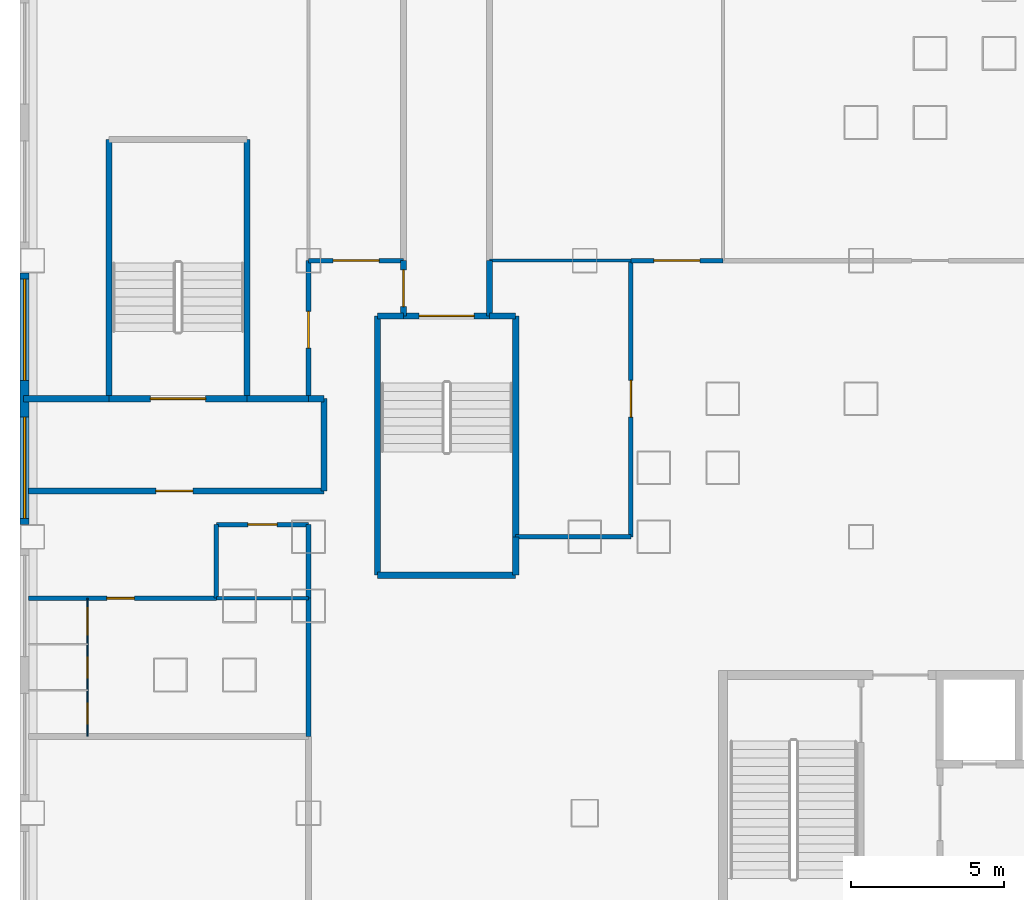
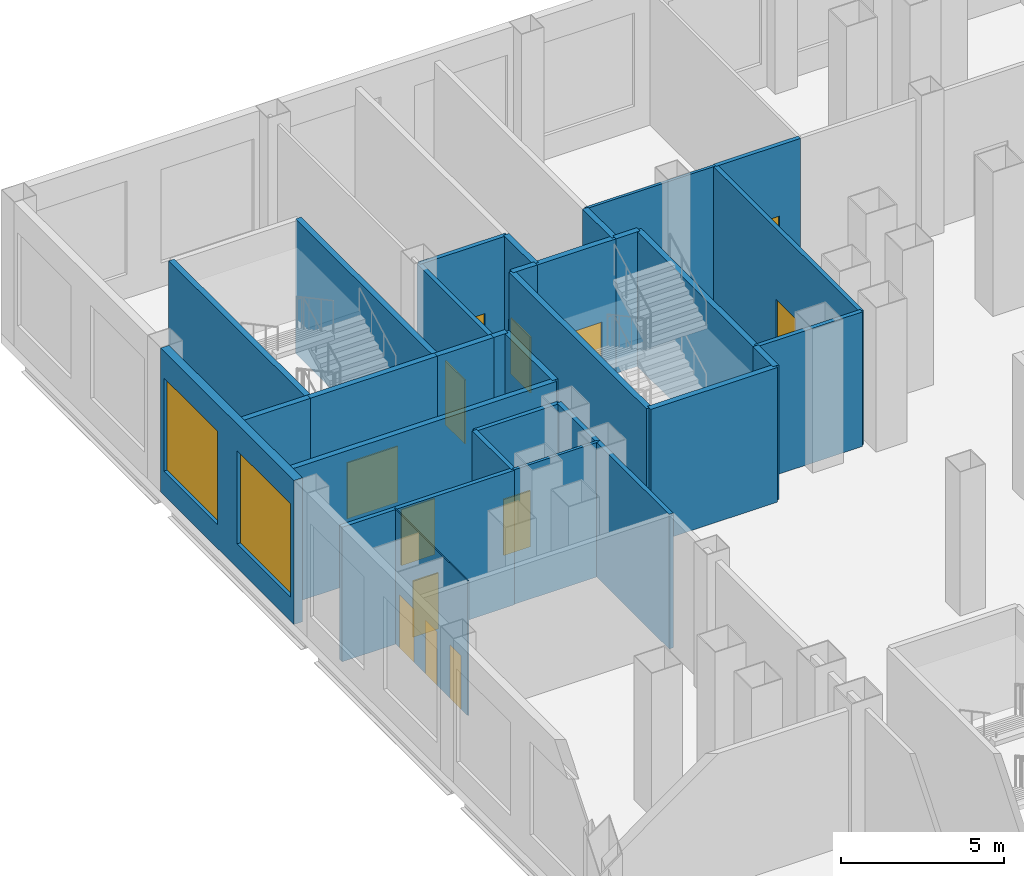
# One storey, part 5 of 26: 31 walls, 13 doors, 2 windows, 15 openings.
"""IFC4 building model written with IfcOpenShell, lengths in metres."""

from ifc_helpers import new_model, si_unit, direction, frame, frame_2d, origin, place, context, subcontext, project, spatial, rectangle, extrude, material, layer, layer_set, type_object, element, fill, save


model = new_model("IFC4")

# Units and contexts
model_context = context("Model", 3, precision=1e-05, world=origin(), true_north=direction((0.0, 1.0)))
body_context = subcontext(model_context, "Body", "Model", "MODEL_VIEW")
ifc_project = project(units=[si_unit("LENGTHUNIT", "METRE"), si_unit("AREAUNIT", "SQUARE_METRE"), si_unit("VOLUMEUNIT", "CUBIC_METRE"), si_unit("PLANEANGLEUNIT", "RADIAN"), si_unit("MASSUNIT", "GRAM", prefix="KILO")], contexts=[model_context])

# Site, building, storey
site_placement = place(None, origin())
site = spatial("IfcSite", under=ifc_project, at=site_placement, CompositionType="ELEMENT")
building_placement = place(site_placement, origin())
building = spatial("IfcBuilding", under=site, at=building_placement, Name="Caravel Reach Hotel and Residences", CompositionType="ELEMENT")
storey_placement = place(building_placement, frame((0.0, 0.0, 12.0)))
storey = spatial("IfcBuildingStorey", under=building, at=storey_placement, Name="L02", CompositionType="ELEMENT", Elevation=12.0)

# Wall, opening, door
ifc_material_1 = material(Name="Autoclaved aerated block wall")
ifc_layer_1 = layer(ifc_material_1, 0.199951171875)
ifc_layer_set_1 = layer_set([ifc_layer_1], Name="Compartment wall 200 mm EI 120")
wall_type_1 = type_object("IfcWallType", Name="Compartment wall 200 mm EI 120", PredefinedType="PARTITIONING", material=ifc_layer_set_1)
wall_1_placement = place(storey_placement, frame((-4.6201171875, 37.5, 0.0), z_axis=(0.0, 0.0, 1.0), x_axis=(1.0, 0.0, 0.0)))
wall_1 = element("IfcWall", 1, at=wall_1_placement, inside=storey, type_object=wall_type_1, Name="L02 wall w045", PredefinedType="PARTITIONING", context=body_context, shape_type="SweptSolid", body=[
    extrude(rectangle(XDim=9.6201171875, YDim=0.199951171875, at=frame_2d((4.81005859375, 0.0))), origin(), (0.0, 0.0, 1.0), 5.050048828125),
])
opening_1_placement = place(wall_1_placement, frame((4.14990234375, 0.0, 0.0)))
opening_1 = element("IfcOpeningElement", 2, at=opening_1_placement, cuts=wall_1, Name="Opening D02-022", PredefinedType="OPENING", context=body_context, shape_type="SweptSolid", body=[
    extrude(rectangle(XDim=1.199951171875, YDim=2.10009765625, at=frame_2d((0.60009765625, 1.050048828125))), frame((0.0, 0.10986328125, 0.0), z_axis=(0.0, -1.0, 0.0), x_axis=(1.0, 0.0, 0.0)), (0.0, 0.0, 1.0), 0.219970703125),
])
ifc_material_2 = material(Name="Steel fire door leaf", Category="steel")
door_type_1 = type_object("IfcDoorType", Name="Fire lobby door 1200 x 2100 EI 90", OperationType="SINGLE_SWING_LEFT", PredefinedType="DOOR", material=ifc_material_2)
door_1_placement = place(opening_1_placement, origin())
door_1 = element("IfcDoor", 3, at=door_1_placement, inside=storey, type_object=door_type_1, Name="door D02-022", OperationType="SINGLE_SWING_RIGHT", OverallHeight=2.10009765625, OverallWidth=1.199951171875, PredefinedType="DOOR", context=body_context, shape_type="SweptSolid", body=[
    extrude(rectangle(XDim=1.199951171875, YDim=2.10009765625, at=frame_2d((0.60009765625, 1.050048828125))), frame((0.0, 0.02490234375, 0.0), z_axis=(0.0, -1.0, 0.0), x_axis=(1.0, 0.0, 0.0)), (0.0, 0.0, 1.0), 0.050048828125),
])
fill(opening_1, door_1)

# Walls
wall_2_placement = place(storey_placement, frame((4.5, 40.5, 0.0), z_axis=(0.0, 0.0, 1.0), x_axis=(1.0, 0.0, 0.0)))
element("IfcWall", 4, at=wall_2_placement, inside=storey, type_object=wall_type_1, Name="L02 wall w049", PredefinedType="PARTITIONING", context=body_context, shape_type="SweptSolid", body=[
    extrude(rectangle(XDim=0.5, YDim=0.199951171875, at=frame_2d((0.25, 0.0))), origin(), (0.0, 0.0, 1.0), 5.050048828125),
])
wall_3_placement = place(storey_placement, frame((-4.7900390625, 40.5, 0.0), z_axis=(0.0, 0.0, 1.0), x_axis=(1.0, 0.0, 0.0)))
element("IfcWall", 5, at=wall_3_placement, inside=storey, type_object=wall_type_1, Name="L02 wall w050", PredefinedType="PARTITIONING", context=body_context, shape_type="SweptSolid", body=[
    extrude(rectangle(XDim=2.7900390625, YDim=0.199951171875, at=frame_2d((1.39501953125, 0.0))), origin(), (0.0, 0.0, 1.0), 5.050048828125),
])
wall_4_placement = place(storey_placement, frame((2.5, 40.5, 0.0), z_axis=(0.0, 0.0, 1.0), x_axis=(1.0, 0.0, 0.0)))
element("IfcWall", 6, at=wall_4_placement, inside=storey, type_object=wall_type_1, Name="L02 wall w051", PredefinedType="PARTITIONING", context=body_context, shape_type="SweptSolid", body=[
    extrude(rectangle(XDim=2.0, YDim=0.199951171875, at=frame_2d((1.0, 0.0))), origin(), (0.0, 0.0, 1.0), 5.050048828125),
])
wall_5_placement = place(storey_placement, frame((10.39990234375, 43.199951171875, 0.0), z_axis=(0.0, 0.0, 1.0), x_axis=(0.0, 1.0, 0.0)))
element("IfcWall", 7, at=wall_5_placement, inside=storey, type_object=wall_type_1, Name="L02 wall w059", PredefinedType="PARTITIONING", context=body_context, shape_type="SweptSolid", body=[
    extrude(rectangle(XDim=1.800048828125, YDim=0.199951171875, at=frame_2d((0.89990234375, 0.0))), origin(), (0.0, 0.0, 1.0), 5.050048828125),
])
wall_6_placement = place(storey_placement, frame((5.0, 37.5, 0.0), z_axis=(0.0, 0.0, 1.0), x_axis=(0.0, 1.0, 0.0)))
element("IfcWall", 8, at=wall_6_placement, inside=storey, type_object=wall_type_1, Name="L02 wall w065", PredefinedType="PARTITIONING", context=body_context, shape_type="SweptSolid", body=[
    extrude(rectangle(XDim=3.0, YDim=0.199951171875, at=frame_2d((1.5, 0.0))), origin(), (0.0, 0.0, 1.0), 5.050048828125),
])

# Wall, opening, door
wall_7_placement = place(storey_placement, frame((7.60009765625, 43.199951171875, 0.0), z_axis=(0.0, 0.0, 1.0), x_axis=(0.0, 1.0, 0.0)))
wall_7 = element("IfcWall", 9, at=wall_7_placement, inside=storey, type_object=wall_type_1, Name="L02 wall w078", PredefinedType="PARTITIONING", context=body_context, shape_type="SweptSolid", body=[
    extrude(rectangle(XDim=1.800048828125, YDim=0.199951171875, at=frame_2d((0.89990234375, 0.0))), origin(), (0.0, 0.0, 1.0), 5.050048828125),
])
opening_2_placement = place(wall_7_placement, frame((0.300048828125, 0.0, 0.0)))
opening_2 = element("IfcOpeningElement", 10, at=opening_2_placement, cuts=wall_7, Name="Opening D02-014", PredefinedType="OPENING", context=body_context, shape_type="SweptSolid", body=[
    extrude(rectangle(XDim=1.199951171875, YDim=2.10009765625, at=frame_2d((0.60009765625, 1.050048828125))), frame((0.0, 0.10986328125, 0.0), z_axis=(0.0, -1.0, 0.0), x_axis=(1.0, 0.0, 0.0)), (0.0, 0.0, 1.0), 0.219970703125),
])
door_2_placement = place(opening_2_placement, origin())
door_2 = element("IfcDoor", 11, at=door_2_placement, inside=storey, type_object=door_type_1, Name="door D02-014", OperationType="SINGLE_SWING_LEFT", OverallHeight=2.10009765625, OverallWidth=1.199951171875, PredefinedType="DOOR", context=body_context, shape_type="SweptSolid", body=[
    extrude(rectangle(XDim=1.199951171875, YDim=2.10009765625, at=frame_2d((0.60009765625, 1.050048828125))), frame((0.0, 0.02490234375, 0.0), z_axis=(0.0, -1.0, 0.0), x_axis=(1.0, 0.0, 0.0)), (0.0, 0.0, 1.0), 0.050048828125),
])
fill(opening_2, door_2)

ifc_material_3 = material(Name="Gypsum board on steel stud, fire-rated", Category="steel")
ifc_layer_2 = layer(ifc_material_3, 0.14990234375)
ifc_layer_set_2 = layer_set([ifc_layer_2], Name="Corridor wall 150 mm EI 60")
wall_type_2 = type_object("IfcWallType", Name="Corridor wall 150 mm EI 60", PredefinedType="PARTITIONING", material=ifc_layer_set_2)
wall_8_placement = place(storey_placement, frame((-4.6201171875, 34.0, 0.0), z_axis=(0.0, 0.0, 1.0), x_axis=(1.0, 0.0, 0.0)))
wall_8 = element("IfcWall", 12, at=wall_8_placement, inside=storey, type_object=wall_type_2, Name="L02 wall w001", PredefinedType="PARTITIONING", context=body_context, shape_type="SweptSolid", body=[
    extrude(rectangle(XDim=6.1201171875, YDim=0.14990234375, at=frame_2d((3.06005859375, 0.0))), origin(), (0.0, 0.0, 1.0), 5.050048828125),
])
opening_3_placement = place(wall_8_placement, frame((2.550048828125, 0.0, 0.0)))
opening_3 = element("IfcOpeningElement", 13, at=opening_3_placement, cuts=wall_8, Name="Opening D02-030", PredefinedType="OPENING", context=body_context, shape_type="SweptSolid", body=[
    extrude(rectangle(XDim=0.89990234375, YDim=2.10009765625, at=frame_2d((0.449951171875, 1.050048828125))), frame((0.0, 0.0849609375, 0.0), z_axis=(0.0, -1.0, 0.0), x_axis=(1.0, 0.0, 0.0)), (0.0, 0.0, 1.0), 0.169921875),
])
ifc_material_4 = material(Name="Timber and steel door leaf", Category="steel")
door_type_2 = type_object("IfcDoorType", Name="Door 900 x 2100 timber", OperationType="SINGLE_SWING_LEFT", PredefinedType="DOOR", material=ifc_material_4)
door_3_placement = place(opening_3_placement, origin())
door_3 = element("IfcDoor", 14, at=door_3_placement, inside=storey, type_object=door_type_2, Name="door D02-030", OperationType="SINGLE_SWING_LEFT", OverallHeight=2.10009765625, OverallWidth=0.89990234375, PredefinedType="DOOR", context=body_context, shape_type="SweptSolid", body=[
    extrude(rectangle(XDim=0.89990234375, YDim=2.10009765625, at=frame_2d((0.449951171875, 1.050048828125))), frame((0.0, 0.02490234375, 0.0), z_axis=(0.0, -1.0, 0.0), x_axis=(1.0, 0.0, 0.0)), (0.0, 0.0, 1.0), 0.050048828125),
])
fill(opening_3, door_3)

# Wall
wall_9_placement = place(storey_placement, frame((11.25, 36.0, 0.0), z_axis=(0.0, 0.0, 1.0), x_axis=(1.0, 0.0, 0.0)))
element("IfcWall", 15, at=wall_9_placement, inside=storey, type_object=wall_type_2, Name="L02 wall w003", PredefinedType="PARTITIONING", context=body_context, shape_type="SweptSolid", body=[
    extrude(rectangle(XDim=3.75, YDim=0.14990234375, at=frame_2d((1.875, 0.0))), origin(), (0.0, 0.0, 1.0), 5.050048828125),
])

# Wall, opening, door
wall_10_placement = place(storey_placement, frame((1.5, 36.39990234375, 0.0), z_axis=(0.0, 0.0, 1.0), x_axis=(1.0, 0.0, 0.0)))
wall_10 = element("IfcWall", 16, at=wall_10_placement, inside=storey, type_object=wall_type_2, Name="L02 wall w004", PredefinedType="PARTITIONING", context=body_context, shape_type="SweptSolid", body=[
    extrude(rectangle(XDim=3.0, YDim=0.14990234375, at=frame_2d((1.5, 0.0))), origin(), (0.0, 0.0, 1.0), 5.050048828125),
])
opening_4_placement = place(wall_10_placement, frame((1.02490234375, 0.0, 0.0)))
opening_4 = element("IfcOpeningElement", 17, at=opening_4_placement, cuts=wall_10, Name="Opening D02-031", PredefinedType="OPENING", context=body_context, shape_type="SweptSolid", body=[
    extrude(rectangle(XDim=0.949951171875, YDim=2.10009765625, at=frame_2d((0.47509765625, 1.050048828125))), frame((0.0, 0.0849609375, 0.0), z_axis=(0.0, -1.0, 0.0), x_axis=(1.0, 0.0, 0.0)), (0.0, 0.0, 1.0), 0.169921875),
])
ifc_material_5 = material(Name="Timber and steel door leaf", Category="steel")
door_type_3 = type_object("IfcDoorType", Name="Accessible WC door 950 x 2100", OperationType="SINGLE_SWING_LEFT", PredefinedType="DOOR", material=ifc_material_5)
door_4_placement = place(opening_4_placement, origin())
door_4 = element("IfcDoor", 18, at=door_4_placement, inside=storey, type_object=door_type_3, Name="door D02-031", OperationType="SINGLE_SWING_LEFT", OverallHeight=2.10009765625, OverallWidth=0.949951171875, PredefinedType="DOOR", context=body_context, shape_type="SweptSolid", body=[
    extrude(rectangle(XDim=0.949951171875, YDim=2.10009765625, at=frame_2d((0.47509765625, 1.050048828125))), frame((0.0, 0.02490234375, 0.0), z_axis=(0.0, -1.0, 0.0), x_axis=(1.0, 0.0, 0.0)), (0.0, 0.0, 1.0), 0.050048828125),
])
fill(opening_4, door_4)

wall_11_placement = place(storey_placement, frame((4.5, 45.0, 0.0), z_axis=(0.0, 0.0, 1.0), x_axis=(1.0, 0.0, 0.0)))
wall_11 = element("IfcWall", 19, at=wall_11_placement, inside=storey, type_object=wall_type_2, Name="L02 wall w006", PredefinedType="PARTITIONING", context=body_context, shape_type="SweptSolid", body=[
    extrude(rectangle(XDim=3.10009765625, YDim=0.14990234375, at=frame_2d((1.550048828125, 0.0))), origin(), (0.0, 0.0, 1.0), 5.050048828125),
])
opening_5_placement = place(wall_11_placement, frame((0.800048828125, 0.0, 0.0)))
opening_5 = element("IfcOpeningElement", 20, at=opening_5_placement, cuts=wall_11, Name="Opening D02-043", PredefinedType="OPENING", context=body_context, shape_type="SweptSolid", body=[
    extrude(rectangle(XDim=1.5, YDim=2.39990234375, at=frame_2d((0.75, 1.199951171875))), frame((0.0, 0.0849609375, 0.0), z_axis=(0.0, -1.0, 0.0), x_axis=(1.0, 0.0, 0.0)), (0.0, 0.0, 1.0), 0.169921875),
])
ifc_material_6 = material(Name="Timber and steel door leaf", Category="steel")
door_type_4 = type_object("IfcDoorType", Name="Shopfront door 1500 x 2400", OperationType="DOUBLE_DOOR_SINGLE_SWING", PredefinedType="DOOR", material=ifc_material_6)
door_5_placement = place(opening_5_placement, origin())
door_5 = element("IfcDoor", 21, at=door_5_placement, inside=storey, type_object=door_type_4, Name="door D02-043", OperationType="DOUBLE_DOOR_SINGLE_SWING", OverallHeight=2.39990234375, OverallWidth=1.5, PredefinedType="DOOR", context=body_context, shape_type="SweptSolid", body=[
    extrude(rectangle(XDim=1.5, YDim=2.39990234375, at=frame_2d((0.75, 1.199951171875))), frame((0.0, 0.02490234375, 0.0), z_axis=(0.0, -1.0, 0.0), x_axis=(1.0, 0.0, 0.0)), (0.0, 0.0, 1.0), 0.050048828125),
])
fill(opening_5, door_5)

wall_12_placement = place(storey_placement, frame((15.0, 45.0, 0.0), z_axis=(0.0, 0.0, 1.0), x_axis=(1.0, 0.0, 0.0)))
wall_12 = element("IfcWall", 22, at=wall_12_placement, inside=storey, type_object=wall_type_2, Name="L02 wall w007", PredefinedType="PARTITIONING", context=body_context, shape_type="SweptSolid", body=[
    extrude(rectangle(XDim=3.0, YDim=0.14990234375, at=frame_2d((1.5, 0.0))), origin(), (0.0, 0.0, 1.0), 5.050048828125),
])
opening_6_placement = place(wall_12_placement, frame((0.75, 0.0, 0.0)))
opening_6 = element("IfcOpeningElement", 23, at=opening_6_placement, cuts=wall_12, Name="Opening D02-044", PredefinedType="OPENING", context=body_context, shape_type="SweptSolid", body=[
    extrude(rectangle(XDim=1.5, YDim=2.39990234375, at=frame_2d((0.75, 1.199951171875))), frame((0.0, 0.0849609375, 0.0), z_axis=(0.0, -1.0, 0.0), x_axis=(1.0, 0.0, 0.0)), (0.0, 0.0, 1.0), 0.169921875),
])
door_6_placement = place(opening_6_placement, origin())
door_6 = element("IfcDoor", 24, at=door_6_placement, inside=storey, type_object=door_type_4, Name="door D02-044", OperationType="DOUBLE_DOOR_SINGLE_SWING", OverallHeight=2.39990234375, OverallWidth=1.5, PredefinedType="DOOR", context=body_context, shape_type="SweptSolid", body=[
    extrude(rectangle(XDim=1.5, YDim=2.39990234375, at=frame_2d((0.75, 1.199951171875))), frame((0.0, 0.02490234375, 0.0), z_axis=(0.0, -1.0, 0.0), x_axis=(1.0, 0.0, 0.0)), (0.0, 0.0, 1.0), 0.050048828125),
])
fill(opening_6, door_6)

# Wall
wall_13_placement = place(storey_placement, frame((1.5, 34.0, 0.0), z_axis=(0.0, 0.0, 1.0), x_axis=(0.0, 1.0, 0.0)))
element("IfcWall", 25, at=wall_13_placement, inside=storey, type_object=wall_type_2, Name="L02 wall w016", PredefinedType="PARTITIONING", context=body_context, shape_type="SweptSolid", body=[
    extrude(rectangle(XDim=2.39990234375, YDim=0.14990234375, at=frame_2d((1.199951171875, 0.0))), origin(), (0.0, 0.0, 1.0), 5.050048828125),
])

# Wall, opening, door
wall_14_placement = place(storey_placement, frame((15.0, 36.0, 0.0), z_axis=(0.0, 0.0, 1.0), x_axis=(0.0, 1.0, 0.0)))
wall_14 = element("IfcWall", 26, at=wall_14_placement, inside=storey, type_object=wall_type_2, Name="L02 wall w017", PredefinedType="PARTITIONING", context=body_context, shape_type="SweptSolid", body=[
    extrude(rectangle(XDim=9.0, YDim=0.14990234375, at=frame_2d((4.5, 0.0))), origin(), (0.0, 0.0, 1.0), 5.050048828125),
])
opening_7_placement = place(wall_14_placement, frame((3.89990234375, 0.0, 0.0)))
opening_7 = element("IfcOpeningElement", 27, at=opening_7_placement, cuts=wall_14, Name="Opening D02-049", PredefinedType="OPENING", context=body_context, shape_type="SweptSolid", body=[
    extrude(rectangle(XDim=1.199951171875, YDim=2.39990234375, at=frame_2d((0.60009765625, 1.199951171875))), frame((0.0, 0.0849609375, 0.0), z_axis=(0.0, -1.0, 0.0), x_axis=(1.0, 0.0, 0.0)), (0.0, 0.0, 1.0), 0.169921875),
])
ifc_material_7 = material(Name="Timber and steel door leaf", Category="steel")
door_type_5 = type_object("IfcDoorType", Name="Glazed door 1200 x 2400", OperationType="SINGLE_SWING_LEFT", PredefinedType="DOOR", material=ifc_material_7)
door_7_placement = place(opening_7_placement, origin())
door_7 = element("IfcDoor", 28, at=door_7_placement, inside=storey, type_object=door_type_5, Name="door D02-049", OperationType="SINGLE_SWING_RIGHT", OverallHeight=2.39990234375, OverallWidth=1.199951171875, PredefinedType="DOOR", context=body_context, shape_type="SweptSolid", body=[
    extrude(rectangle(XDim=1.199951171875, YDim=2.39990234375, at=frame_2d((0.60009765625, 1.199951171875))), frame((0.0, 0.02490234375, 0.0), z_axis=(0.0, -1.0, 0.0), x_axis=(1.0, 0.0, 0.0)), (0.0, 0.0, 1.0), 0.050048828125),
])
fill(opening_7, door_7)

# Walls
wall_15_placement = place(storey_placement, frame((4.5, 29.5, 0.0), z_axis=(0.0, 0.0, 1.0), x_axis=(0.0, 1.0, 0.0)))
element("IfcWall", 29, at=wall_15_placement, inside=storey, type_object=wall_type_2, Name="L02 wall w019", PredefinedType="PARTITIONING", context=body_context, shape_type="SweptSolid", body=[
    extrude(rectangle(XDim=4.5, YDim=0.14990234375, at=frame_2d((2.25, 0.0))), origin(), (0.0, 0.0, 1.0), 5.050048828125),
])
wall_16_placement = place(storey_placement, frame((4.5, 34.0, 0.0), z_axis=(0.0, 0.0, 1.0), x_axis=(0.0, 1.0, 0.0)))
element("IfcWall", 30, at=wall_16_placement, inside=storey, type_object=wall_type_2, Name="L02 wall w020", PredefinedType="PARTITIONING", context=body_context, shape_type="SweptSolid", body=[
    extrude(rectangle(XDim=2.39990234375, YDim=0.14990234375, at=frame_2d((1.199951171875, 0.0))), origin(), (0.0, 0.0, 1.0), 5.050048828125),
])

# Wall, opening, door
wall_17_placement = place(storey_placement, frame((4.5, 40.5, 0.0), z_axis=(0.0, 0.0, 1.0), x_axis=(0.0, 1.0, 0.0)))
wall_17 = element("IfcWall", 31, at=wall_17_placement, inside=storey, type_object=wall_type_2, Name="L02 wall w021", PredefinedType="PARTITIONING", context=body_context, shape_type="SweptSolid", body=[
    extrude(rectangle(XDim=4.5, YDim=0.14990234375, at=frame_2d((2.25, 0.0))), origin(), (0.0, 0.0, 1.0), 5.050048828125),
])
opening_8_placement = place(wall_17_placement, frame((1.64990234375, 0.0, 0.0)))
opening_8 = element("IfcOpeningElement", 32, at=opening_8_placement, cuts=wall_17, Name="Opening D02-032", PredefinedType="OPENING", context=body_context, shape_type="SweptSolid", body=[
    extrude(rectangle(XDim=1.199951171875, YDim=2.39990234375, at=frame_2d((0.60009765625, 1.199951171875))), frame((0.0, 0.0849609375, 0.0), z_axis=(0.0, -1.0, 0.0), x_axis=(1.0, 0.0, 0.0)), (0.0, 0.0, 1.0), 0.169921875),
])
door_8_placement = place(opening_8_placement, origin())
door_8 = element("IfcDoor", 33, at=door_8_placement, inside=storey, type_object=door_type_5, Name="door D02-032", OperationType="SINGLE_SWING_LEFT", OverallHeight=2.39990234375, OverallWidth=1.199951171875, PredefinedType="DOOR", context=body_context, shape_type="SweptSolid", body=[
    extrude(rectangle(XDim=1.199951171875, YDim=2.39990234375, at=frame_2d((0.60009765625, 1.199951171875))), frame((0.0, 0.02490234375, 0.0), z_axis=(0.0, -1.0, 0.0), x_axis=(1.0, 0.0, 0.0)), (0.0, 0.0, 1.0), 0.050048828125),
])
fill(opening_8, door_8)

# Wall, openings, windows
ifc_material_8 = material(Name="Insulated wall, stone cladding", Category="masonry")
ifc_layer_3 = layer(ifc_material_8, 0.300048828125)
ifc_layer_set_3 = layer_set([ifc_layer_3], Name="EW2 Podium stone-clad wall")
wall_type_3 = type_object("IfcWallType", Name="EW2 Podium stone-clad wall", PredefinedType="SOLIDWALL", material=ifc_layer_set_3)
wall_18_placement = place(storey_placement, frame((-4.75, 44.60009765625, 0.0), z_axis=(0.0, 0.0, 1.0), x_axis=(0.0, -1.0, 0.0)))
wall_18 = element("IfcWall", 34, at=wall_18_placement, inside=storey, type_object=wall_type_3, Name="External wall L02 W3.2", PredefinedType="SOLIDWALL", context=body_context, shape_type="SweptSolid", body=[
    extrude(rectangle(XDim=8.2001953125, YDim=0.300048828125, at=frame_2d((4.10009765625, 0.0))), origin(), (0.0, 0.0, 1.0), 5.39990234375),
])
opening_9_placement = place(wall_18_placement, frame((0.199951171875, 0.0, 0.89990234375)))
opening_9 = element("IfcOpeningElement", 35, at=opening_9_placement, cuts=wall_18, Name="Opening WN30", PredefinedType="OPENING", context=body_context, shape_type="SweptSolid", body=[
    extrude(rectangle(XDim=3.300048828125, YDim=3.5, at=frame_2d((1.64990234375, 1.75))), frame((0.0, 0.159912109375, 0.0), z_axis=(0.0, -1.0, 0.0), x_axis=(1.0, 0.0, 0.0)), (0.0, 0.0, 1.0), 0.320068359375),
])
opening_10_placement = place(wall_18_placement, frame((4.699951171875, 0.0, 0.89990234375)))
opening_10 = element("IfcOpeningElement", 36, at=opening_10_placement, cuts=wall_18, Name="Opening WN30", PredefinedType="OPENING", context=body_context, shape_type="SweptSolid", body=[
    extrude(rectangle(XDim=3.300048828125, YDim=3.5, at=frame_2d((1.64990234375, 1.75))), frame((0.0, 0.159912109375, 0.0), z_axis=(0.0, -1.0, 0.0), x_axis=(1.0, 0.0, 0.0)), (0.0, 0.0, 1.0), 0.320068359375),
])
ifc_material_9 = material(Name="Dark low-e glazing in black aluminium frame", Category="aluminium")
window_type = type_object("IfcWindowType", Name="Podium window 3300 x 3500", PartitioningType="SINGLE_PANEL", PredefinedType="WINDOW", material=ifc_material_9)
window_1_placement = place(opening_9_placement, origin())
window_1 = element("IfcWindow", 37, at=window_1_placement, inside=storey, type_object=window_type, Name="Window L02 W3.2.1", OverallHeight=3.5, OverallWidth=3.300048828125, PartitioningType="SINGLE_PANEL", PredefinedType="WINDOW", context=body_context, shape_type="SweptSolid", body=[
    extrude(rectangle(XDim=3.300048828125, YDim=3.5, at=frame_2d((1.64990234375, 1.75))), frame((0.0, 0.030029296875, 0.0), z_axis=(0.0, -1.0, 0.0), x_axis=(1.0, 0.0, 0.0)), (0.0, 0.0, 1.0), 0.06005859375),
])
fill(opening_9, window_1)
window_2_placement = place(opening_10_placement, origin())
window_2 = element("IfcWindow", 38, at=window_2_placement, inside=storey, type_object=window_type, Name="Window L02 W3.2.2", OverallHeight=3.5, OverallWidth=3.300048828125, PartitioningType="SINGLE_PANEL", PredefinedType="WINDOW", context=body_context, shape_type="SweptSolid", body=[
    extrude(rectangle(XDim=3.300048828125, YDim=3.5, at=frame_2d((1.64990234375, 1.75))), frame((0.0, 0.030029296875, 0.0), z_axis=(0.0, -1.0, 0.0), x_axis=(1.0, 0.0, 0.0)), (0.0, 0.0, 1.0), 0.06005859375),
])
fill(opening_10, window_2)

# Walls
ifc_material_10 = material(Name="Gypsum board on steel stud", Category="steel")
ifc_layer_4 = layer(ifc_material_10, 0.10009765625)
ifc_layer_set_4 = layer_set([ifc_layer_4], Name="Partition 100 mm")
wall_type_4 = type_object("IfcWallType", Name="Partition 100 mm", PredefinedType="PARTITIONING", material=ifc_layer_set_4)
wall_19_placement = place(storey_placement, frame((1.5, 34.0, 0.0), z_axis=(0.0, 0.0, 1.0), x_axis=(1.0, 0.0, 0.0)))
element("IfcWall", 39, at=wall_19_placement, inside=storey, type_object=wall_type_4, Name="L02 wall w027", PredefinedType="PARTITIONING", context=body_context, shape_type="SweptSolid", body=[
    extrude(rectangle(XDim=3.0, YDim=0.10009765625, at=frame_2d((1.5, 0.0))), origin(), (0.0, 0.0, 1.0), 5.050048828125),
])
wall_20_placement = place(storey_placement, frame((10.39990234375, 45.0, 0.0), z_axis=(0.0, 0.0, 1.0), x_axis=(1.0, 0.0, 0.0)))
element("IfcWall", 40, at=wall_20_placement, inside=storey, type_object=wall_type_4, Name="L02 wall w029", PredefinedType="PARTITIONING", context=body_context, shape_type="SweptSolid", body=[
    extrude(rectangle(XDim=4.60009765625, YDim=0.10009765625, at=frame_2d((2.300048828125, 0.0))), origin(), (0.0, 0.0, 1.0), 5.050048828125),
])
ifc_material_11 = material(Name="Concrete C60", Category="concrete")
ifc_layer_5 = layer(ifc_material_11, 0.199951171875)
ifc_layer_set_5 = layer_set([ifc_layer_5], Name="Stair enclosure wall 200 mm EI 120")
wall_type_5 = type_object("IfcWallType", Name="Stair enclosure wall 200 mm EI 120", PredefinedType="SHEAR", material=ifc_layer_set_5)
wall_21_placement = place(storey_placement, frame((6.75, 34.75, 0.0), z_axis=(0.0, 0.0, 1.0), x_axis=(1.0, 0.0, 0.0)))
element("IfcWall", 41, at=wall_21_placement, inside=storey, type_object=wall_type_5, Name="L02 wall w091", PredefinedType="SHEAR", context=body_context, shape_type="SweptSolid", body=[
    extrude(rectangle(XDim=4.5, YDim=0.199951171875, at=frame_2d((2.25, 0.0))), origin(), (0.0, 0.0, 1.0), 5.050048828125),
])

# Wall, opening, door
wall_22_placement = place(storey_placement, frame((-2.0, 40.5, 0.0), z_axis=(0.0, 0.0, 1.0), x_axis=(1.0, 0.0, 0.0)))
wall_22 = element("IfcWall", 42, at=wall_22_placement, inside=storey, type_object=wall_type_5, Name="L02 wall w093", PredefinedType="SHEAR", context=body_context, shape_type="SweptSolid", body=[
    extrude(rectangle(XDim=4.5, YDim=0.199951171875, at=frame_2d((2.25, 0.0))), origin(), (0.0, 0.0, 1.0), 5.050048828125),
])
opening_11_placement = place(wall_22_placement, frame((1.35009765625, 0.0, 0.0)))
opening_11 = element("IfcOpeningElement", 43, at=opening_11_placement, cuts=wall_22, Name="Opening D02-023", PredefinedType="OPENING", context=body_context, shape_type="SweptSolid", body=[
    extrude(rectangle(XDim=1.800048828125, YDim=2.10009765625, at=frame_2d((0.89990234375, 1.050048828125))), frame((0.0, 0.10986328125, 0.0), z_axis=(0.0, -1.0, 0.0), x_axis=(1.0, 0.0, 0.0)), (0.0, 0.0, 1.0), 0.219970703125),
])
ifc_material_12 = material(Name="Steel fire door leaf", Category="steel")
door_type_6 = type_object("IfcDoorType", Name="Stair door pair 1800 x 2100 EI 90", OperationType="DOUBLE_DOOR_SINGLE_SWING", PredefinedType="DOOR", material=ifc_material_12)
door_9_placement = place(opening_11_placement, origin())
door_9 = element("IfcDoor", 44, at=door_9_placement, inside=storey, type_object=door_type_6, Name="door D02-023", OperationType="DOUBLE_DOOR_SINGLE_SWING", OverallHeight=2.10009765625, OverallWidth=1.800048828125, PredefinedType="DOOR", context=body_context, shape_type="SweptSolid", body=[
    extrude(rectangle(XDim=1.800048828125, YDim=2.10009765625, at=frame_2d((0.89990234375, 1.050048828125))), frame((0.0, 0.02490234375, 0.0), z_axis=(0.0, -1.0, 0.0), x_axis=(1.0, 0.0, 0.0)), (0.0, 0.0, 1.0), 0.050048828125),
])
fill(opening_11, door_9)

# Wall
wall_23_placement = place(storey_placement, frame((6.75, 43.199951171875, 0.0), z_axis=(0.0, 0.0, 1.0), x_axis=(1.0, 0.0, 0.0)))
element("IfcWall", 45, at=wall_23_placement, inside=storey, type_object=wall_type_5, Name="L02 wall w095", PredefinedType="SHEAR", context=body_context, shape_type="SweptSolid", body=[
    extrude(rectangle(XDim=0.85009765625, YDim=0.199951171875, at=frame_2d((0.425048828125, 0.0))), origin(), (0.0, 0.0, 1.0), 5.050048828125),
])

# Wall, opening, door
wall_24_placement = place(storey_placement, frame((7.60009765625, 43.199951171875, 0.0), z_axis=(0.0, 0.0, 1.0), x_axis=(1.0, 0.0, 0.0)))
wall_24 = element("IfcWall", 46, at=wall_24_placement, inside=storey, type_object=wall_type_5, Name="L02 wall w096", PredefinedType="SHEAR", context=body_context, shape_type="SweptSolid", body=[
    extrude(rectangle(XDim=2.7998046875, YDim=0.199951171875, at=frame_2d((1.39990234375, 0.0))), origin(), (0.0, 0.0, 1.0), 5.050048828125),
])
opening_12_placement = place(wall_24_placement, frame((0.5, 0.0, 0.0)))
opening_12 = element("IfcOpeningElement", 47, at=opening_12_placement, cuts=wall_24, Name="Opening D02-015", PredefinedType="OPENING", context=body_context, shape_type="SweptSolid", body=[
    extrude(rectangle(XDim=1.800048828125, YDim=2.10009765625, at=frame_2d((0.89990234375, 1.050048828125))), frame((0.0, 0.10986328125, 0.0), z_axis=(0.0, -1.0, 0.0), x_axis=(1.0, 0.0, 0.0)), (0.0, 0.0, 1.0), 0.219970703125),
])
door_10_placement = place(opening_12_placement, origin())
door_10 = element("IfcDoor", 48, at=door_10_placement, inside=storey, type_object=door_type_6, Name="door D02-015", OperationType="DOUBLE_DOOR_SINGLE_SWING", OverallHeight=2.10009765625, OverallWidth=1.800048828125, PredefinedType="DOOR", context=body_context, shape_type="SweptSolid", body=[
    extrude(rectangle(XDim=1.800048828125, YDim=2.10009765625, at=frame_2d((0.89990234375, 1.050048828125))), frame((0.0, 0.02490234375, 0.0), z_axis=(0.0, -1.0, 0.0), x_axis=(1.0, 0.0, 0.0)), (0.0, 0.0, 1.0), 0.050048828125),
])
fill(opening_12, door_10)

# Walls
wall_25_placement = place(storey_placement, frame((10.39990234375, 43.199951171875, 0.0), z_axis=(0.0, 0.0, 1.0), x_axis=(1.0, 0.0, 0.0)))
element("IfcWall", 49, at=wall_25_placement, inside=storey, type_object=wall_type_5, Name="L02 wall w097", PredefinedType="SHEAR", context=body_context, shape_type="SweptSolid", body=[
    extrude(rectangle(XDim=0.85009765625, YDim=0.199951171875, at=frame_2d((0.425048828125, 0.0))), origin(), (0.0, 0.0, 1.0), 5.050048828125),
])
wall_26_placement = place(storey_placement, frame((-2.0, 40.5, 0.0), z_axis=(0.0, 0.0, 1.0), x_axis=(0.0, 1.0, 0.0)))
element("IfcWall", 50, at=wall_26_placement, inside=storey, type_object=wall_type_5, Name="L02 wall w104", PredefinedType="SHEAR", context=body_context, shape_type="SweptSolid", body=[
    extrude(rectangle(XDim=8.449951171875, YDim=0.199951171875, at=frame_2d((4.22509765625, 0.0))), origin(), (0.0, 0.0, 1.0), 5.050048828125),
])
wall_27_placement = place(storey_placement, frame((11.25, 34.75, 0.0), z_axis=(0.0, 0.0, 1.0), x_axis=(0.0, 1.0, 0.0)))
element("IfcWall", 51, at=wall_27_placement, inside=storey, type_object=wall_type_5, Name="L02 wall w105", PredefinedType="SHEAR", context=body_context, shape_type="SweptSolid", body=[
    extrude(rectangle(XDim=1.25, YDim=0.199951171875, at=frame_2d((0.625, 0.0))), origin(), (0.0, 0.0, 1.0), 5.050048828125),
])
wall_28_placement = place(storey_placement, frame((11.25, 36.0, 0.0), z_axis=(0.0, 0.0, 1.0), x_axis=(0.0, 1.0, 0.0)))
element("IfcWall", 52, at=wall_28_placement, inside=storey, type_object=wall_type_5, Name="L02 wall w106", PredefinedType="SHEAR", context=body_context, shape_type="SweptSolid", body=[
    extrude(rectangle(XDim=7.199951171875, YDim=0.199951171875, at=frame_2d((3.60009765625, 0.0))), origin(), (0.0, 0.0, 1.0), 5.050048828125),
])
for number, where, z_axis, x_axis, name in (
    (53, (2.5, 40.5, 0.0), (0.0, 0.0, 1.0), (0.0, 1.0, 0.0), "L02 wall w108"),
    (54, (6.75, 34.75, 0.0), (0.0, 0.0, 1.0), (0.0, 1.0, 0.0), "L02 wall w113"),
):
    element("IfcWall", number, at=place(storey_placement, frame(where, z_axis=z_axis, x_axis=x_axis)), inside=storey, type_object=wall_type_5, Name=name, PredefinedType="SHEAR", context=body_context, shape_type="SweptSolid", body=[
        extrude(rectangle(XDim=8.449951171875, YDim=0.199951171875, at=frame_2d((4.22509765625, 0.0))), origin(), (0.0, 0.0, 1.0), 5.050048828125),
    ])

# Wall, openings, doors
ifc_material_13 = material(Name="Laminate cubicle panel")
ifc_layer_6 = layer(ifc_material_13, 0.0400390625)
ifc_layer_set_6 = layer_set([ifc_layer_6], Name="WC cubicle partition 40 mm")
wall_type_6 = type_object("IfcWallType", Name="WC cubicle partition 40 mm", PredefinedType="PARTITIONING", material=ifc_layer_set_6)
wall_29_placement = place(storey_placement, frame((-2.699951171875, 29.5, 0.0), z_axis=(0.0, 0.0, 1.0), x_axis=(0.0, 1.0, 0.0)))
wall_29 = element("IfcWall", 55, at=wall_29_placement, inside=storey, type_object=wall_type_6, Name="L02 wall cbr03.f", PredefinedType="PARTITIONING", context=body_context, shape_type="SweptSolid", body=[
    extrude(rectangle(XDim=4.5, YDim=0.0400390625, at=frame_2d((2.25, 0.0))), origin(), (0.0, 0.0, 1.0), 5.050048828125),
])
opening_13_placement = place(wall_29_placement, frame((0.39990234375, 0.0, 0.0)))
opening_13 = element("IfcOpeningElement", 56, at=opening_13_placement, cuts=wall_29, Name="Opening D02-050", PredefinedType="OPENING", context=body_context, shape_type="SweptSolid", body=[
    extrude(rectangle(XDim=0.699951171875, YDim=2.0, at=frame_2d((0.35009765625, 1.0))), frame((0.0, 0.030029296875, 0.0), z_axis=(0.0, -1.0, 0.0), x_axis=(1.0, 0.0, 0.0)), (0.0, 0.0, 1.0), 0.06005859375),
])
opening_14_placement = place(wall_29_placement, frame((1.89990234375, 0.0, 0.0)))
opening_14 = element("IfcOpeningElement", 57, at=opening_14_placement, cuts=wall_29, Name="Opening D02-051", PredefinedType="OPENING", context=body_context, shape_type="SweptSolid", body=[
    extrude(rectangle(XDim=0.699951171875, YDim=2.0, at=frame_2d((0.35009765625, 1.0))), frame((0.0, 0.030029296875, 0.0), z_axis=(0.0, -1.0, 0.0), x_axis=(1.0, 0.0, 0.0)), (0.0, 0.0, 1.0), 0.06005859375),
])
opening_15_placement = place(wall_29_placement, frame((3.300048828125, 0.0, 0.0)))
opening_15 = element("IfcOpeningElement", 58, at=opening_15_placement, cuts=wall_29, Name="Opening D02-052", PredefinedType="OPENING", context=body_context, shape_type="SweptSolid", body=[
    extrude(rectangle(XDim=0.89990234375, YDim=2.0, at=frame_2d((0.449951171875, 1.0))), frame((0.0, 0.030029296875, 0.0), z_axis=(0.0, -1.0, 0.0), x_axis=(1.0, 0.0, 0.0)), (0.0, 0.0, 1.0), 0.06005859375),
])
ifc_material_14 = material(Name="Timber and steel door leaf", Category="steel")
door_type_7 = type_object("IfcDoorType", Name="Accessible cubicle door 900 x 2000", OperationType="SINGLE_SWING_LEFT", PredefinedType="DOOR", material=ifc_material_14)
door_11_placement = place(opening_15_placement, origin())
door_11 = element("IfcDoor", 59, at=door_11_placement, inside=storey, type_object=door_type_7, Name="door D02-052", OperationType="SINGLE_SWING_RIGHT", OverallHeight=2.0, OverallWidth=0.89990234375, PredefinedType="DOOR", context=body_context, shape_type="SweptSolid", body=[
    extrude(rectangle(XDim=0.89990234375, YDim=2.0, at=frame_2d((0.449951171875, 1.0))), frame((0.0, 0.019775390625, 0.0), z_axis=(0.0, -1.0, 0.0), x_axis=(1.0, 0.0, 0.0)), (0.0, 0.0, 1.0), 0.03955078125),
])
fill(opening_15, door_11)
ifc_material_15 = material(Name="Timber and steel door leaf", Category="steel")
door_type_8 = type_object("IfcDoorType", Name="WC cubicle door 700 x 2000", OperationType="SINGLE_SWING_LEFT", PredefinedType="DOOR", material=ifc_material_15)
door_12_placement = place(opening_13_placement, origin())
door_12 = element("IfcDoor", 60, at=door_12_placement, inside=storey, type_object=door_type_8, Name="door D02-050", OperationType="SINGLE_SWING_LEFT", OverallHeight=2.0, OverallWidth=0.699951171875, PredefinedType="DOOR", context=body_context, shape_type="SweptSolid", body=[
    extrude(rectangle(XDim=0.699951171875, YDim=2.0, at=frame_2d((0.35009765625, 1.0))), frame((0.0, 0.019775390625, 0.0), z_axis=(0.0, -1.0, 0.0), x_axis=(1.0, 0.0, 0.0)), (0.0, 0.0, 1.0), 0.03955078125),
])
fill(opening_13, door_12)
door_13_placement = place(opening_14_placement, origin())
door_13 = element("IfcDoor", 61, at=door_13_placement, inside=storey, type_object=door_type_8, Name="door D02-051", OperationType="SINGLE_SWING_LEFT", OverallHeight=2.0, OverallWidth=0.699951171875, PredefinedType="DOOR", context=body_context, shape_type="SweptSolid", body=[
    extrude(rectangle(XDim=0.699951171875, YDim=2.0, at=frame_2d((0.35009765625, 1.0))), frame((0.0, 0.019775390625, 0.0), z_axis=(0.0, -1.0, 0.0), x_axis=(1.0, 0.0, 0.0)), (0.0, 0.0, 1.0), 0.03955078125),
])
fill(opening_14, door_13)

save(model, "model.ifc")
